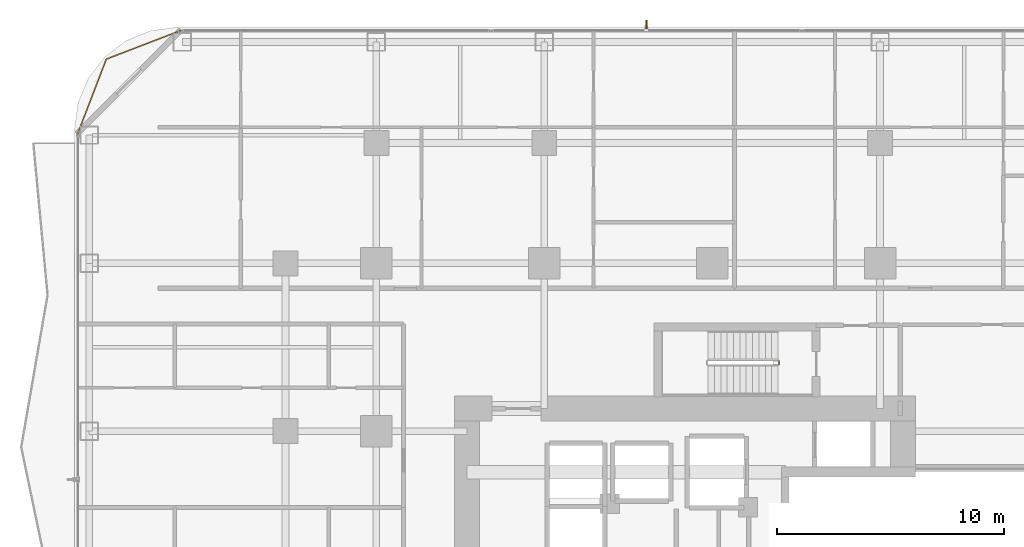
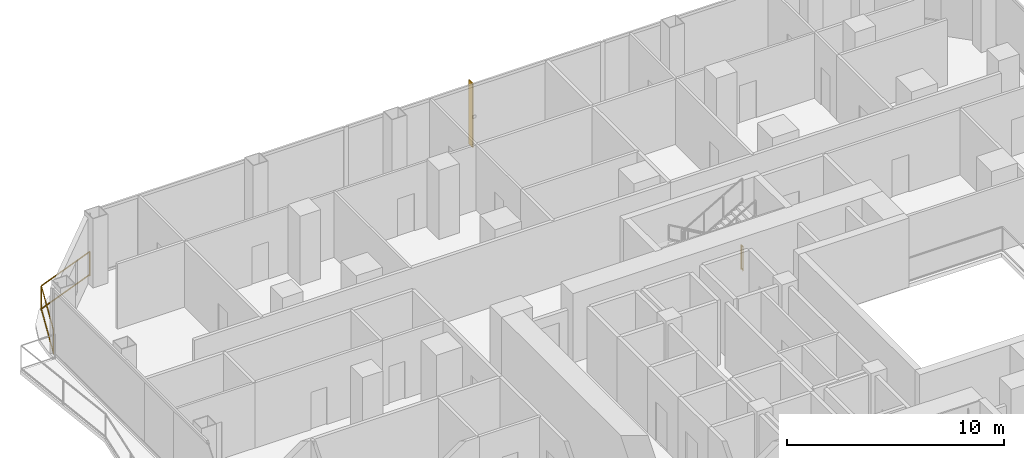
# One storey, part 29 of 30: 2 railings, 1 shading device.
"""IFC4 building model written with IfcOpenShell, lengths in metres."""

from ifc_helpers import new_model, si_unit, direction, frame, origin, origin_2d, place, context, subcontext, project, spatial, rectangle, extrude, material, layer, layer_set, type_object, element, save


model = new_model("IFC4")

# Units and contexts
model_context = context("Model", 3, precision=1e-05, world=origin(), true_north=direction((0.0, 1.0)))
body_context = subcontext(model_context, "Body", "Model", "MODEL_VIEW")
ifc_project = project(units=[si_unit("LENGTHUNIT", "METRE"), si_unit("AREAUNIT", "SQUARE_METRE"), si_unit("VOLUMEUNIT", "CUBIC_METRE"), si_unit("PLANEANGLEUNIT", "RADIAN"), si_unit("MASSUNIT", "GRAM", prefix="KILO")], contexts=[model_context])

# Site, building, storey
site_placement = place(None, origin())
site = spatial("IfcSite", under=ifc_project, at=site_placement, CompositionType="ELEMENT")
building_placement = place(site_placement, origin())
building = spatial("IfcBuilding", under=site, at=building_placement, Name="Khorvyn Point Tower", CompositionType="ELEMENT")
storey_placement = place(building_placement, frame((0.0, 0.0, 57.89990234375)))
storey = spatial("IfcBuildingStorey", under=building, at=storey_placement, Name="L15", CompositionType="ELEMENT", Elevation=57.89990234375)

# Shading device
ifc_material_1 = material(Name="Bronze anodised aluminium 6063-T6", Category="aluminium")
ifc_layer = layer(ifc_material_1, 0.06494140625)
ifc_layer_set = layer_set([ifc_layer], Name="Bronze Anodised Aluminium FIN 380x65")
shading_device_type = type_object("IfcShadingDeviceType", Name="Bronze Anodised Aluminium FIN 380x65", PredefinedType="USERDEFINED", material=ifc_layer_set)
shading_device_placement = place(storey_placement, frame((-2.89990234375, 25.330078125, 0.0400390625), z_axis=(0.0, 0.0, 1.0), x_axis=(0.0, 1.0, 0.0)))
element("IfcShadingDevice", 1, at=shading_device_placement, inside=storey, type_object=shading_device_type, Name="L15 Anodised FIN 01", ObjectType="FIN", PredefinedType="USERDEFINED", context=body_context, shape_type="SweptSolid", body=[
    extrude(rectangle(XDim=0.3798828125, YDim=0.06494140625, at=origin_2d()), origin(), (0.0, 0.0, 1.0), 3.60009765625),
])

# Railings
ifc_material_2 = material(Name="Anodised aluminium 6063-T6 and laminated safety glass", Category="aluminium")
railing_type_1 = type_object("IfcRailingType", Name="Laminated Glass and Aluminium Balcony Guardrail 1400", PredefinedType="BALUSTRADE", material=ifc_material_2)
railing_1_placement = place(storey_placement, frame((-23.370849609375, 25.073974609375, 0.0)))
element("IfcRailing", 2, at=railing_1_placement, inside=storey, type_object=railing_type_1, Name="L15 Rounded Corner Edge Guardrail NW", PredefinedType="BALUSTRADE", context=body_context, shape_type="SweptSolid", body=[
    extrude(rectangle(XDim=0.048095703125, YDim=0.048095703125, at=origin_2d()), frame((0.0, 0.0, 1.3759765625), z_axis=(-0.933575007025, -0.358382067435, 0.0), x_axis=(0.358382067435, -0.933575007025, 0.0)), (0.0, 0.0, 1.0), 3.562744140625),
    extrude(rectangle(XDim=0.048095703125, YDim=0.048095703125, at=origin_2d()), frame((0.0, 0.0, 0.080078125), z_axis=(-0.933575007025, -0.358382067435, 0.0), x_axis=(0.358382067435, -0.933575007025, 0.0)), (0.0, 0.0, 1.0), 3.562744140625),
    extrude(rectangle(XDim=0.048095703125, YDim=0.048095703125, at=origin_2d()), frame((-3.326171875, -1.27685546875, 1.3759765625), z_axis=(-0.35841886047, -0.933560882031, 0.0), x_axis=(0.933560882031, -0.35841886047, 0.0)), (0.0, 0.0, 1.0), 3.563232421875),
    extrude(rectangle(XDim=0.048095703125, YDim=0.048095703125, at=origin_2d()), frame((-3.326171875, -1.27685546875, 0.080078125), z_axis=(-0.35841886047, -0.933560882031, 0.0), x_axis=(0.933560882031, -0.35841886047, 0.0)), (0.0, 0.0, 1.0), 3.563232421875),
    extrude(rectangle(XDim=0.0419921875, YDim=0.0419921875, at=origin_2d()), origin(), (0.0, 0.0, 1.0), 1.351806640625),
    extrude(rectangle(XDim=0.0419921875, YDim=0.0419921875, at=origin_2d()), frame((-3.326171875, -1.27685546875, 0.0)), (0.0, 0.0, 1.0), 1.351806640625),
    extrude(rectangle(XDim=0.0419921875, YDim=0.0419921875, at=origin_2d()), frame((-4.603271484375, -4.603271484375, 0.0)), (0.0, 0.0, 1.0), 1.351806640625),
])
ifc_material_3 = material(Name="Stainless steel 1.4301", Category="steel")
railing_type_2 = type_object("IfcRailingType", Name="Stainless Steel 304 Stair Well Guardrail 1400", PredefinedType="GUARDRAIL", material=ifc_material_3)
railing_2_placement = place(storey_placement, frame((2.949951171875, 10.5, 0.0)))
element("IfcRailing", 3, at=railing_2_placement, inside=storey, type_object=railing_type_2, Name="L15 ST-02 stair guard 4", PredefinedType="GUARDRAIL", context=body_context, shape_type="SweptSolid", body=[
    extrude(rectangle(XDim=0.048095703125, YDim=0.048095703125, at=origin_2d()), frame((0.0, 0.0, 1.3759765625), z_axis=(0.0, -1.0, 0.0), x_axis=(1.0, 0.0, 0.0)), (0.0, 0.0, 1.0), 0.159912109375),
    extrude(rectangle(XDim=0.048095703125, YDim=0.048095703125, at=origin_2d()), frame((0.0, 0.0, 0.080078125), z_axis=(0.0, -1.0, 0.0), x_axis=(1.0, 0.0, 0.0)), (0.0, 0.0, 1.0), 0.159912109375),
    extrude(rectangle(XDim=0.0419921875, YDim=0.0419921875, at=origin_2d()), origin(), (0.0, 0.0, 1.0), 1.351806640625),
    extrude(rectangle(XDim=0.0419921875, YDim=0.0419921875, at=origin_2d()), frame((0.0, -0.159912109375, 0.0)), (0.0, 0.0, 1.0), 1.351806640625),
])

save(model, "model.ifc")
